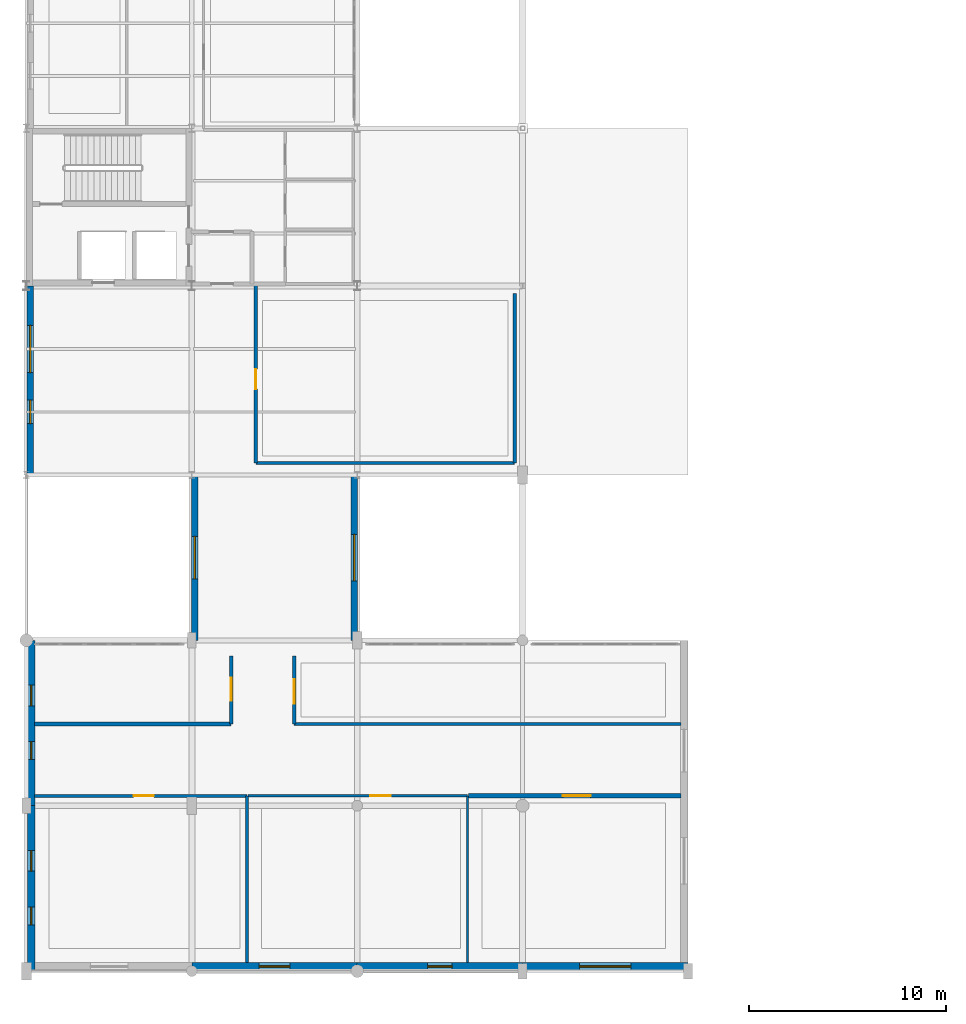
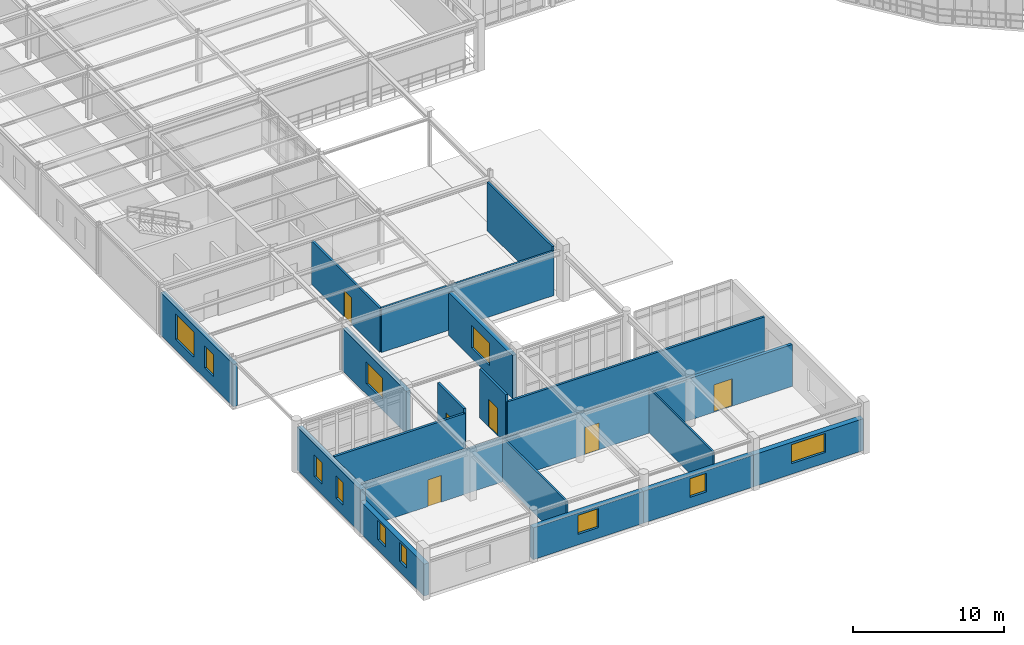
# One storey, part 71 of 90: 20 walls, 11 windows, 6 doors, 17 openings.
"""IFC4 building model written with IfcOpenShell, lengths in metres."""

from ifc_helpers import new_model, si_unit, derived_unit, direction, frame, frame_2d, origin, place, context, subcontext, project, spatial, rectangle, extrude, material, layer, layer_set, type_object, element, fill, save


model = new_model("IFC4")

# Units and contexts
model_context = context("Model", 3, precision=1e-05, world=origin(), true_north=direction((0.0, 1.0)))
body_context = subcontext(model_context, "Body", "Model", "MODEL_VIEW")
ifc_project = project(units=[si_unit("LENGTHUNIT", "METRE"), si_unit("AREAUNIT", "SQUARE_METRE"), si_unit("VOLUMEUNIT", "CUBIC_METRE"), si_unit("PLANEANGLEUNIT", "RADIAN"), si_unit("MASSUNIT", "GRAM", prefix="KILO"), derived_unit("THERMALTRANSMITTANCEUNIT", [(si_unit("POWERUNIT", "WATT"), 1), (si_unit("AREAUNIT", "SQUARE_METRE"), -1), (si_unit("THERMODYNAMICTEMPERATUREUNIT", "KELVIN"), -1)])], contexts=[model_context])

# Site, building, storey
site_placement = place(None, origin())
site = spatial("IfcSite", under=ifc_project, at=site_placement, CompositionType="ELEMENT")
building_placement = place(site_placement, origin())
building = spatial("IfcBuilding", under=site, at=building_placement, Name="Yasenodar Specialist Clinic", CompositionType="ELEMENT")
storey_placement = place(building_placement, frame((0.0, 0.0, 9.0)))
storey = spatial("IfcBuildingStorey", under=building, at=storey_placement, Name="L02", CompositionType="ELEMENT", Elevation=9.0)

# Wall, openings, windows
ifc_material_1 = material(Name="Leznykivske Rose Granite Rainscreen", Category="masonry")
ifc_layer_1 = layer(ifc_material_1, 0.3798828125)
ifc_layer_set_1 = layer_set([ifc_layer_1], Name="Leznykivske Rose Granite Rainscreen")
wall_type_1 = type_object("IfcWallType", Name="EW-GRAN-380", PredefinedType="SOLIDWALL", material=ifc_layer_set_1)
wall_1_placement = place(storey_placement, frame((0.239990234375, 0.0, 0.0), z_axis=(0.0, 0.0, 1.0), x_axis=(0.0, 1.0, 0.0)))
wall_1 = element("IfcWall", 1, at=wall_1_placement, inside=storey, type_object=wall_type_1, Name="L02 Exterior Facade Wall 0063", PredefinedType="SOLIDWALL", context=body_context, shape_type="SweptSolid", body=[
    extrude(rectangle(XDim=8.39990234375, YDim=0.3798828125, at=frame_2d((4.199951171875, 0.0))), origin(), (0.0, 0.0, 1.0), 2.568115234375),
])
opening_1_placement = place(wall_1_placement, frame((2.35009765625, 0.0, 0.85009765625)))
opening_1 = element("IfcOpeningElement", 2, at=opening_1_placement, cuts=wall_1, Name="Opening W-09", PredefinedType="OPENING", context=body_context, shape_type="SweptSolid", body=[
    extrude(rectangle(XDim=0.89990234375, YDim=1.5380859375, at=frame_2d((0.449951171875, 0.76904296875))), frame((0.0, 0.199951171875, 0.0), z_axis=(0.0, -1.0, 0.0), x_axis=(1.0, 0.0, 0.0)), (0.0, 0.0, 1.0), 0.39990234375),
])
opening_2_placement = place(wall_1_placement, frame((5.074951171875, 0.0, 0.85009765625)))
opening_2 = element("IfcOpeningElement", 3, at=opening_2_placement, cuts=wall_1, Name="Opening W-10", PredefinedType="OPENING", context=body_context, shape_type="SweptSolid", body=[
    extrude(rectangle(XDim=1.050048828125, YDim=1.5380859375, at=frame_2d((0.52490234375, 0.76904296875))), frame((0.0, 0.199951171875, 0.0), z_axis=(0.0, -1.0, 0.0), x_axis=(1.0, 0.0, 0.0)), (0.0, 0.0, 1.0), 0.39990234375),
])
ifc_material_2 = material(Name="Triple Low-E Argon Glazing in Bronze Aluminium Frame", Category="aluminium")
window_type_1 = type_object("IfcWindowType", Name="WIN-EXT-09", PartitioningType="SINGLE_PANEL", PredefinedType="WINDOW", material=ifc_material_2)
window_1_placement = place(opening_1_placement, origin())
window_1 = element("IfcWindow", 4, at=window_1_placement, inside=storey, type_object=window_type_1, Name="L02 Triple-Glazed Reveal Window 0045", OverallHeight=1.5380859375, OverallWidth=0.89990234375, PartitioningType="SINGLE_PANEL", PredefinedType="WINDOW", context=body_context, shape_type="SweptSolid", body=[
    extrude(rectangle(XDim=0.89990234375, YDim=1.5380859375, at=frame_2d((0.449951171875, 0.76904296875))), frame((0.0, 0.030029296875, 0.0), z_axis=(0.0, -1.0, 0.0), x_axis=(1.0, 0.0, 0.0)), (0.0, 0.0, 1.0), 0.06005859375),
])
fill(opening_1, window_1)
window_type_2 = type_object("IfcWindowType", Name="WIN-EXT-10", PartitioningType="SINGLE_PANEL", PredefinedType="WINDOW", material=ifc_material_2)
window_2_placement = place(opening_2_placement, origin())
window_2 = element("IfcWindow", 5, at=window_2_placement, inside=storey, type_object=window_type_2, Name="L02 Triple-Glazed Reveal Window 0046", OverallHeight=1.5380859375, OverallWidth=1.050048828125, PartitioningType="SINGLE_PANEL", PredefinedType="WINDOW", context=body_context, shape_type="SweptSolid", body=[
    extrude(rectangle(XDim=1.050048828125, YDim=1.5380859375, at=frame_2d((0.52490234375, 0.76904296875))), frame((0.0, 0.030029296875, 0.0), z_axis=(0.0, -1.0, 0.0), x_axis=(1.0, 0.0, 0.0)), (0.0, 0.0, 1.0), 0.06005859375),
])
fill(opening_2, window_2)

wall_2_placement = place(storey_placement, frame((0.239990234375, 8.39990234375, 0.0), z_axis=(0.0, 0.0, 1.0), x_axis=(0.0, 1.0, 0.0)))
wall_2 = element("IfcWall", 6, at=wall_2_placement, inside=storey, type_object=wall_type_1, Name="L02 Exterior Facade Wall 0064", PredefinedType="SOLIDWALL", context=body_context, shape_type="SweptSolid", body=[
    extrude(rectangle(XDim=8.400146484375, YDim=0.3798828125, at=frame_2d((4.2001953125, 0.0))), origin(), (0.0, 0.0, 1.0), 3.47802734375),
])
opening_3_placement = place(wall_2_placement, frame((2.35009765625, 0.0, 0.85009765625)))
opening_3 = element("IfcOpeningElement", 7, at=opening_3_placement, cuts=wall_2, Name="Opening W-09", PredefinedType="OPENING", context=body_context, shape_type="SweptSolid", body=[
    extrude(rectangle(XDim=0.89990234375, YDim=1.800048828125, at=frame_2d((0.449951171875, 0.89990234375))), frame((0.0, 0.199951171875, 0.0), z_axis=(0.0, -1.0, 0.0), x_axis=(1.0, 0.0, 0.0)), (0.0, 0.0, 1.0), 0.39990234375),
])
opening_4_placement = place(wall_2_placement, frame((5.074951171875, 0.0, 0.85009765625)))
opening_4 = element("IfcOpeningElement", 8, at=opening_4_placement, cuts=wall_2, Name="Opening W-10", PredefinedType="OPENING", context=body_context, shape_type="SweptSolid", body=[
    extrude(rectangle(XDim=1.050048828125, YDim=1.75, at=frame_2d((0.52490234375, 0.875))), frame((0.0, 0.199951171875, 0.0), z_axis=(0.0, -1.0, 0.0), x_axis=(1.0, 0.0, 0.0)), (0.0, 0.0, 1.0), 0.39990234375),
])
window_3_placement = place(opening_3_placement, origin())
window_3 = element("IfcWindow", 9, at=window_3_placement, inside=storey, type_object=window_type_1, Name="L02 Triple-Glazed Reveal Window 0047", OverallHeight=1.800048828125, OverallWidth=0.89990234375, PartitioningType="SINGLE_PANEL", PredefinedType="WINDOW", context=body_context, shape_type="SweptSolid", body=[
    extrude(rectangle(XDim=0.89990234375, YDim=1.800048828125, at=frame_2d((0.449951171875, 0.89990234375))), frame((0.0, 0.030029296875, 0.0), z_axis=(0.0, -1.0, 0.0), x_axis=(1.0, 0.0, 0.0)), (0.0, 0.0, 1.0), 0.06005859375),
])
fill(opening_3, window_3)
window_4_placement = place(opening_4_placement, origin())
window_4 = element("IfcWindow", 10, at=window_4_placement, inside=storey, type_object=window_type_2, Name="L02 Triple-Glazed Reveal Window 0048", OverallHeight=1.75, OverallWidth=1.050048828125, PartitioningType="SINGLE_PANEL", PredefinedType="WINDOW", context=body_context, shape_type="SweptSolid", body=[
    extrude(rectangle(XDim=1.050048828125, YDim=1.75, at=frame_2d((0.52490234375, 0.875))), frame((0.0, 0.030029296875, 0.0), z_axis=(0.0, -1.0, 0.0), x_axis=(1.0, 0.0, 0.0)), (0.0, 0.0, 1.0), 0.06005859375),
])
fill(opening_4, window_4)

# Wall, opening, window
ifc_material_3 = material(Name="Kapustianske Red Granite Ashlar Rainscreen", Category="masonry")
ifc_layer_2 = layer(ifc_material_3, 0.419921875)
ifc_layer_set_2 = layer_set([ifc_layer_2], Name="Kapustianske Red Granite Ashlar Rainscreen")
wall_type_2 = type_object("IfcWallType", Name="EW-GRAN-420", PredefinedType="SOLIDWALL", material=ifc_layer_set_2)
wall_3_placement = place(storey_placement, frame((33.60009765625, 0.239990234375, 0.0), z_axis=(0.0, 0.0, 1.0), x_axis=(-1.0, 0.0, 0.0)))
wall_3 = element("IfcWall", 11, at=wall_3_placement, inside=storey, type_object=wall_type_2, Name="L02 Exterior Facade Wall 0059", PredefinedType="SOLIDWALL", context=body_context, shape_type="SweptSolid", body=[
    extrude(rectangle(XDim=8.400146484375, YDim=0.419921875, at=frame_2d((4.2001953125, 0.0))), origin(), (0.0, 0.0, 1.0), 2.568115234375),
])
opening_5_placement = place(wall_3_placement, frame((2.89990234375, 0.0, 0.85009765625)))
opening_5 = element("IfcOpeningElement", 12, at=opening_5_placement, cuts=wall_3, Name="Opening W-14", PredefinedType="OPENING", context=body_context, shape_type="SweptSolid", body=[
    extrude(rectangle(XDim=2.60009765625, YDim=1.5380859375, at=frame_2d((1.300048828125, 0.76904296875))), frame((0.0, 0.219970703125, 0.0), z_axis=(0.0, -1.0, 0.0), x_axis=(1.0, 0.0, 0.0)), (0.0, 0.0, 1.0), 0.43994140625),
])
window_type_3 = type_object("IfcWindowType", Name="WIN-EXT-14", PartitioningType="SINGLE_PANEL", PredefinedType="WINDOW", material=ifc_material_2)
window_5_placement = place(opening_5_placement, origin())
window_5 = element("IfcWindow", 13, at=window_5_placement, inside=storey, type_object=window_type_3, Name="L02 Triple-Glazed Reveal Window 0041", OverallHeight=1.5380859375, OverallWidth=2.60009765625, PartitioningType="SINGLE_PANEL", PredefinedType="WINDOW", context=body_context, shape_type="SweptSolid", body=[
    extrude(rectangle(XDim=2.60009765625, YDim=1.5380859375, at=frame_2d((1.300048828125, 0.76904296875))), frame((0.0, 0.030029296875, 0.0), z_axis=(0.0, -1.0, 0.0), x_axis=(1.0, 0.0, 0.0)), (0.0, 0.0, 1.0), 0.06005859375),
])
fill(opening_5, window_5)

wall_4_placement = place(storey_placement, frame((25.199951171875, 0.239990234375, 0.0), z_axis=(0.0, 0.0, 1.0), x_axis=(-1.0, 0.0, 0.0)))
wall_4 = element("IfcWall", 14, at=wall_4_placement, inside=storey, type_object=wall_type_2, Name="L02 Exterior Facade Wall 0060", PredefinedType="SOLIDWALL", context=body_context, shape_type="SweptSolid", body=[
    extrude(rectangle(XDim=8.39990234375, YDim=0.419921875, at=frame_2d((4.199951171875, 0.0))), origin(), (0.0, 0.0, 1.0), 2.568115234375),
])
opening_6_placement = place(wall_4_placement, frame((3.574951171875, 0.0, 0.85009765625)))
opening_6 = element("IfcOpeningElement", 15, at=opening_6_placement, cuts=wall_4, Name="Opening W-15", PredefinedType="OPENING", context=body_context, shape_type="SweptSolid", body=[
    extrude(rectangle(XDim=1.25, YDim=1.5, at=frame_2d((0.625, 0.75))), frame((0.0, 0.219970703125, 0.0), z_axis=(0.0, -1.0, 0.0), x_axis=(1.0, 0.0, 0.0)), (0.0, 0.0, 1.0), 0.43994140625),
])
window_type_4 = type_object("IfcWindowType", Name="WIN-EXT-15", PartitioningType="SINGLE_PANEL", PredefinedType="WINDOW", material=ifc_material_2)
window_6_placement = place(opening_6_placement, origin())
window_6 = element("IfcWindow", 16, at=window_6_placement, inside=storey, type_object=window_type_4, Name="L02 Triple-Glazed Reveal Window 0042", OverallHeight=1.5, OverallWidth=1.25, PartitioningType="SINGLE_PANEL", PredefinedType="WINDOW", context=body_context, shape_type="SweptSolid", body=[
    extrude(rectangle(XDim=1.25, YDim=1.5, at=frame_2d((0.625, 0.75))), frame((0.0, 0.030029296875, 0.0), z_axis=(0.0, -1.0, 0.0), x_axis=(1.0, 0.0, 0.0)), (0.0, 0.0, 1.0), 0.06005859375),
])
fill(opening_6, window_6)

wall_5_placement = place(storey_placement, frame((16.800048828125, 0.239990234375, 0.0), z_axis=(0.0, 0.0, 1.0), x_axis=(-1.0, 0.0, 0.0)))
wall_5 = element("IfcWall", 17, at=wall_5_placement, inside=storey, type_object=wall_type_2, Name="L02 Exterior Facade Wall 0061", PredefinedType="SOLIDWALL", context=body_context, shape_type="SweptSolid", body=[
    extrude(rectangle(XDim=8.400146484375, YDim=0.419921875, at=frame_2d((4.2001953125, 0.0))), origin(), (0.0, 0.0, 1.0), 2.568115234375),
])
opening_7_placement = place(wall_5_placement, frame((3.425048828125, 0.0, 0.85009765625)))
opening_7 = element("IfcOpeningElement", 18, at=opening_7_placement, cuts=wall_5, Name="Opening W-16", PredefinedType="OPENING", context=body_context, shape_type="SweptSolid", body=[
    extrude(rectangle(XDim=1.550048828125, YDim=1.5380859375, at=frame_2d((0.77490234375, 0.76904296875))), frame((0.0, 0.219970703125, 0.0), z_axis=(0.0, -1.0, 0.0), x_axis=(1.0, 0.0, 0.0)), (0.0, 0.0, 1.0), 0.43994140625),
])
window_type_5 = type_object("IfcWindowType", Name="WIN-EXT-16", PartitioningType="SINGLE_PANEL", PredefinedType="WINDOW", material=ifc_material_2)
window_7_placement = place(opening_7_placement, origin())
window_7 = element("IfcWindow", 19, at=window_7_placement, inside=storey, type_object=window_type_5, Name="L02 Triple-Glazed Reveal Window 0043", OverallHeight=1.5380859375, OverallWidth=1.550048828125, PartitioningType="SINGLE_PANEL", PredefinedType="WINDOW", context=body_context, shape_type="SweptSolid", body=[
    extrude(rectangle(XDim=1.550048828125, YDim=1.5380859375, at=frame_2d((0.77490234375, 0.76904296875))), frame((0.0, 0.030029296875, 0.0), z_axis=(0.0, -1.0, 0.0), x_axis=(1.0, 0.0, 0.0)), (0.0, 0.0, 1.0), 0.06005859375),
])
fill(opening_7, window_7)

ifc_material_4 = material(Name="Buff Architectural Terracotta Rainscreen", Category="masonry")
ifc_layer_3 = layer(ifc_material_4, 0.340087890625)
ifc_layer_set_3 = layer_set([ifc_layer_3], Name="Buff Architectural Terracotta Rainscreen")
wall_type_3 = type_object("IfcWallType", Name="EW-TERR-340", PredefinedType="SOLIDWALL", material=ifc_layer_set_3)
wall_6_placement = place(storey_placement, frame((8.550048828125, 16.800048828125, 0.0), z_axis=(0.0, 0.0, 1.0), x_axis=(0.0, 1.0, 0.0)))
wall_6 = element("IfcWall", 20, at=wall_6_placement, inside=storey, type_object=wall_type_3, Name="L02 Exterior Facade Wall 0065", PredefinedType="SOLIDWALL", context=body_context, shape_type="SweptSolid", body=[
    extrude(rectangle(XDim=8.39990234375, YDim=0.340087890625, at=frame_2d((4.199951171875, 0.0))), origin(), (0.0, 0.0, 1.0), 3.41796875),
])
opening_8_placement = place(wall_6_placement, frame((3.125, 0.0, 0.85009765625)))
opening_8 = element("IfcOpeningElement", 21, at=opening_8_placement, cuts=wall_6, Name="Opening W-25", PredefinedType="OPENING", context=body_context, shape_type="SweptSolid", body=[
    extrude(rectangle(XDim=2.14990234375, YDim=1.75, at=frame_2d((1.074951171875, 0.875))), frame((0.0, 0.18017578125, 0.0), z_axis=(0.0, -1.0, 0.0), x_axis=(1.0, 0.0, 0.0)), (0.0, 0.0, 1.0), 0.360107421875),
])
window_type_6 = type_object("IfcWindowType", Name="WIN-EXT-25", PartitioningType="SINGLE_PANEL", PredefinedType="WINDOW", material=ifc_material_2)
window_8_placement = place(opening_8_placement, origin())
window_8 = element("IfcWindow", 22, at=window_8_placement, inside=storey, type_object=window_type_6, Name="L02 Triple-Glazed Reveal Window 0049", OverallHeight=1.75, OverallWidth=2.14990234375, PartitioningType="SINGLE_PANEL", PredefinedType="WINDOW", context=body_context, shape_type="SweptSolid", body=[
    extrude(rectangle(XDim=2.14990234375, YDim=1.75, at=frame_2d((1.074951171875, 0.875))), frame((0.0, 0.030029296875, 0.0), z_axis=(0.0, -1.0, 0.0), x_axis=(1.0, 0.0, 0.0)), (0.0, 0.0, 1.0), 0.06005859375),
])
fill(opening_8, window_8)

wall_7_placement = place(storey_placement, frame((16.64990234375, 25.199951171875, 0.0), z_axis=(0.0, 0.0, 1.0), x_axis=(0.0, -1.0, 0.0)))
wall_7 = element("IfcWall", 23, at=wall_7_placement, inside=storey, type_object=wall_type_3, Name="L02 Exterior Facade Wall 0066", PredefinedType="SOLIDWALL", context=body_context, shape_type="SweptSolid", body=[
    extrude(rectangle(XDim=8.39990234375, YDim=0.340087890625, at=frame_2d((4.199951171875, 0.0))), origin(), (0.0, 0.0, 1.0), 3.468017578125),
])
opening_9_placement = place(wall_7_placement, frame((3.02490234375, 0.0, 0.85009765625)))
opening_9 = element("IfcOpeningElement", 24, at=opening_9_placement, cuts=wall_7, Name="Opening W-26", PredefinedType="OPENING", context=body_context, shape_type="SweptSolid", body=[
    extrude(rectangle(XDim=2.35009765625, YDim=1.800048828125, at=frame_2d((1.175048828125, 0.89990234375))), frame((0.0, 0.18017578125, 0.0), z_axis=(0.0, -1.0, 0.0), x_axis=(1.0, 0.0, 0.0)), (0.0, 0.0, 1.0), 0.360107421875),
])
window_type_7 = type_object("IfcWindowType", Name="WIN-EXT-26", PartitioningType="SINGLE_PANEL", PredefinedType="WINDOW", material=ifc_material_2)
window_9_placement = place(opening_9_placement, origin())
window_9 = element("IfcWindow", 25, at=window_9_placement, inside=storey, type_object=window_type_7, Name="L02 Triple-Glazed Reveal Window 0050", OverallHeight=1.800048828125, OverallWidth=2.35009765625, PartitioningType="SINGLE_PANEL", PredefinedType="WINDOW", context=body_context, shape_type="SweptSolid", body=[
    extrude(rectangle(XDim=2.35009765625, YDim=1.800048828125, at=frame_2d((1.175048828125, 0.89990234375))), frame((0.0, 0.030029296875, 0.0), z_axis=(0.0, -1.0, 0.0), x_axis=(1.0, 0.0, 0.0)), (0.0, 0.0, 1.0), 0.06005859375),
])
fill(opening_9, window_9)

# Wall, openings, windows
wall_8_placement = place(storey_placement, frame((0.199951171875, 25.199951171875, 0.0), z_axis=(0.0, 0.0, 1.0), x_axis=(0.0, 1.0, 0.0)))
wall_8 = element("IfcWall", 26, at=wall_8_placement, inside=storey, type_object=wall_type_3, Name="L02 Exterior Facade Wall 0099", PredefinedType="SOLIDWALL", context=body_context, shape_type="SweptSolid", body=[
    extrude(rectangle(XDim=9.60009765625, YDim=0.340087890625, at=frame_2d((4.800048828125, 0.0))), origin(), (0.0, 0.0, 1.0), 3.41796875),
])
opening_10_placement = place(wall_8_placement, frame((2.60009765625, 0.0, 0.85009765625)))
opening_10 = element("IfcOpeningElement", 27, at=opening_10_placement, cuts=wall_8, Name="Opening W-01", PredefinedType="OPENING", context=body_context, shape_type="SweptSolid", body=[
    extrude(rectangle(XDim=1.199951171875, YDim=1.800048828125, at=frame_2d((0.60009765625, 0.89990234375))), frame((0.0, 0.18017578125, 0.0), z_axis=(0.0, -1.0, 0.0), x_axis=(1.0, 0.0, 0.0)), (0.0, 0.0, 1.0), 0.360107421875),
])
opening_11_placement = place(wall_8_placement, frame((5.199951171875, 0.0, 0.85009765625)))
opening_11 = element("IfcOpeningElement", 28, at=opening_11_placement, cuts=wall_8, Name="Opening W-08", PredefinedType="OPENING", context=body_context, shape_type="SweptSolid", body=[
    extrude(rectangle(XDim=2.39990234375, YDim=2.050048828125, at=frame_2d((1.199951171875, 1.02490234375))), frame((0.0, 0.18017578125, 0.0), z_axis=(0.0, -1.0, 0.0), x_axis=(1.0, 0.0, 0.0)), (0.0, 0.0, 1.0), 0.360107421875),
])
window_type_8 = type_object("IfcWindowType", Name="WIN-EXT-01", PartitioningType="SINGLE_PANEL", PredefinedType="WINDOW", material=ifc_material_2)
window_10_placement = place(opening_10_placement, origin())
window_10 = element("IfcWindow", 29, at=window_10_placement, inside=storey, type_object=window_type_8, Name="L02 Triple-Glazed Reveal Window 0090", OverallHeight=1.800048828125, OverallWidth=1.199951171875, PartitioningType="SINGLE_PANEL", PredefinedType="WINDOW", context=body_context, shape_type="SweptSolid", body=[
    extrude(rectangle(XDim=1.199951171875, YDim=1.800048828125, at=frame_2d((0.60009765625, 0.89990234375))), frame((0.0, 0.030029296875, 0.0), z_axis=(0.0, -1.0, 0.0), x_axis=(1.0, 0.0, 0.0)), (0.0, 0.0, 1.0), 0.06005859375),
])
fill(opening_10, window_10)
window_type_9 = type_object("IfcWindowType", Name="WIN-EXT-08", PartitioningType="SINGLE_PANEL", PredefinedType="WINDOW", material=ifc_material_2)
window_11_placement = place(opening_11_placement, origin())
window_11 = element("IfcWindow", 30, at=window_11_placement, inside=storey, type_object=window_type_9, Name="L02 Triple-Glazed Reveal Window 0091", OverallHeight=2.050048828125, OverallWidth=2.39990234375, PartitioningType="SINGLE_PANEL", PredefinedType="WINDOW", context=body_context, shape_type="SweptSolid", body=[
    extrude(rectangle(XDim=2.39990234375, YDim=2.050048828125, at=frame_2d((1.199951171875, 1.02490234375))), frame((0.0, 0.030029296875, 0.0), z_axis=(0.0, -1.0, 0.0), x_axis=(1.0, 0.0, 0.0)), (0.0, 0.0, 1.0), 0.06005859375),
])
fill(opening_11, window_11)

# Wall, opening, door
ifc_material_5 = material(Name="Outpatient Examination Partition")
ifc_layer_4 = layer(ifc_material_5, 0.14990234375)
ifc_layer_set_4 = layer_set([ifc_layer_4], Name="Outpatient Examination Partition")
wall_type_4 = type_object("IfcWallType", Name="IW-CONS-150", PredefinedType="PARTITIONING", material=ifc_layer_set_4)
wall_9_placement = place(storey_placement, frame((0.409912109375, 8.89990234375, 0.0), z_axis=(0.0, 0.0, 1.0), x_axis=(1.0, 0.0, 0.0)))
wall_9 = element("IfcWall", 31, at=wall_9_placement, inside=storey, type_object=wall_type_4, Name="L02 DEXA Bone Densitometry Suite Partition", PredefinedType="PARTITIONING", context=body_context, shape_type="SweptSolid", body=[
    extrude(rectangle(XDim=10.7900390625, YDim=0.14990234375, at=frame_2d((5.39501953125, 0.0))), origin(), (0.0, 0.0, 1.0), 3.577880859375),
])
opening_12_placement = place(wall_9_placement, frame((5.0400390625, 0.0, 0.0)))
opening_12 = element("IfcOpeningElement", 32, at=opening_12_placement, cuts=wall_9, Name="Opening D-03", PredefinedType="OPENING", context=body_context, shape_type="SweptSolid", body=[
    extrude(rectangle(XDim=1.02001953125, YDim=2.14990234375, at=frame_2d((0.510009765625, 1.074951171875))), frame((0.0, 0.0849609375, 0.0), z_axis=(0.0, -1.0, 0.0), x_axis=(1.0, 0.0, 0.0)), (0.0, 0.0, 1.0), 0.169921875),
])
ifc_material_6 = material(Name="Powder-Coated Steel and Acoustic Laminate Leaf", Category="steel")
door_type_1 = type_object("IfcDoorType", Name="DR-CLN-102", OperationType="NOTDEFINED", PredefinedType="DOOR", material=ifc_material_6)
door_1_placement = place(opening_12_placement, origin())
door_1 = element("IfcDoor", 33, at=door_1_placement, inside=storey, type_object=door_type_1, Name="L02 DEXA Bone Densitometry Suite Door", OperationType="SINGLE_SWING_RIGHT", OverallHeight=2.14990234375, OverallWidth=1.02001953125, PredefinedType="DOOR", context=body_context, shape_type="SweptSolid", body=[
    extrude(rectangle(XDim=1.02001953125, YDim=2.14990234375, at=frame_2d((0.510009765625, 1.074951171875))), frame((0.0, 0.02490234375, 0.0), z_axis=(0.0, -1.0, 0.0), x_axis=(1.0, 0.0, 0.0)), (0.0, 0.0, 1.0), 0.050048828125),
])
fill(opening_12, door_1)

# Wall
wall_10_placement = place(storey_placement, frame((11.199951171875, 8.89990234375, 0.0), z_axis=(0.0, 0.0, 1.0), x_axis=(0.0, -1.0, 0.0)))
element("IfcWall", 34, at=wall_10_placement, inside=storey, type_object=wall_type_4, Name="L02 DEXA Bone Densitometry Suite Partition", PredefinedType="PARTITIONING", context=body_context, shape_type="SweptSolid", body=[
    extrude(rectangle(XDim=8.469970703125, YDim=0.14990234375, at=frame_2d((4.23486328125, 0.0))), origin(), (0.0, 0.0, 1.0), 3.528076171875),
])

# Wall, opening, door
ifc_material_7 = material(Name="Acoustic Double-Gypsum Consulting Partition")
ifc_layer_5 = layer(ifc_material_7, 0.159912109375)
ifc_layer_set_5 = layer_set([ifc_layer_5], Name="Acoustic Double-Gypsum Consulting Partition")
wall_type_5 = type_object("IfcWallType", Name="IW-CONS-160", PredefinedType="PARTITIONING", material=ifc_layer_set_5)
wall_11_placement = place(storey_placement, frame((11.64990234375, 25.800048828125, 0.0), z_axis=(0.0, 0.0, 1.0), x_axis=(0.0, 1.0, 0.0)))
wall_11 = element("IfcWall", 35, at=wall_11_placement, inside=storey, type_object=wall_type_5, Name="L02 Audiology and ENT Clinic Partition", PredefinedType="PARTITIONING", context=body_context, shape_type="SweptSolid", body=[
    extrude(rectangle(XDim=9.0224609375, YDim=0.159912109375, at=frame_2d((4.51123046875, 0.0))), origin(), (0.0, 0.0, 1.0), 3.5380859375),
])
opening_13_placement = place(wall_11_placement, frame((3.75, 0.0, 0.0)))
opening_13 = element("IfcOpeningElement", 36, at=opening_13_placement, cuts=wall_11, Name="Opening D-03", PredefinedType="OPENING", context=body_context, shape_type="SweptSolid", body=[
    extrude(rectangle(XDim=1.02001953125, YDim=2.14990234375, at=frame_2d((0.510009765625, 1.074951171875))), frame((0.0, 0.08984375, 0.0), z_axis=(0.0, -1.0, 0.0), x_axis=(1.0, 0.0, 0.0)), (0.0, 0.0, 1.0), 0.179931640625),
])
door_2_placement = place(opening_13_placement, origin())
door_2 = element("IfcDoor", 37, at=door_2_placement, inside=storey, type_object=door_type_1, Name="L02 Audiology and ENT Clinic Door", OperationType="SINGLE_SWING_RIGHT", OverallHeight=2.14990234375, OverallWidth=1.02001953125, PredefinedType="DOOR", context=body_context, shape_type="SweptSolid", body=[
    extrude(rectangle(XDim=1.02001953125, YDim=2.14990234375, at=frame_2d((0.510009765625, 1.074951171875))), frame((0.0, 0.02490234375, 0.0), z_axis=(0.0, -1.0, 0.0), x_axis=(1.0, 0.0, 0.0)), (0.0, 0.0, 1.0), 0.050048828125),
])
fill(opening_13, door_2)

# Walls
wall_12_placement = place(storey_placement, frame((24.800048828125, 25.800048828125, 0.0), z_axis=(0.0, 0.0, 1.0), x_axis=(-1.0, 0.0, 0.0)))
element("IfcWall", 38, at=wall_12_placement, inside=storey, type_object=wall_type_5, Name="L02 Audiology and ENT Clinic Partition", PredefinedType="PARTITIONING", context=body_context, shape_type="SweptSolid", body=[
    extrude(rectangle(XDim=13.150146484375, YDim=0.159912109375, at=frame_2d((6.5751953125, 0.0))), origin(), (0.0, 0.0, 1.0), 3.577880859375),
])
wall_13_placement = place(storey_placement, frame((24.800048828125, 34.39990234375, 0.0), z_axis=(0.0, 0.0, 1.0), x_axis=(0.0, -1.0, 0.0)))
element("IfcWall", 39, at=wall_13_placement, inside=storey, type_object=wall_type_5, Name="L02 Audiology and ENT Clinic Partition", PredefinedType="PARTITIONING", context=body_context, shape_type="SweptSolid", body=[
    extrude(rectangle(XDim=8.599853515625, YDim=0.159912109375, at=frame_2d((4.2998046875, 0.0))), origin(), (0.0, 0.0, 1.0), 3.929931640625),
])

# Wall, opening, door
ifc_material_8 = material(Name="Cleanroom Laboratory Partition")
ifc_layer_6 = layer(ifc_material_8, 0.169921875)
ifc_layer_set_6 = layer_set([ifc_layer_6], Name="Cleanroom Laboratory Partition")
wall_type_6 = type_object("IfcWallType", Name="IW-LAB-170", PredefinedType="PARTITIONING", material=ifc_layer_set_6)
wall_14_placement = place(storey_placement, frame((13.60009765625, 16.0, 0.0), z_axis=(0.0, 0.0, 1.0), x_axis=(0.0, -1.0, 0.0)))
wall_14 = element("IfcWall", 40, at=wall_14_placement, inside=storey, type_object=wall_type_6, Name="L02 Cardiology Holter and ECG Diagnostic Room Partition", PredefinedType="PARTITIONING", context=body_context, shape_type="SweptSolid", body=[
    extrude(rectangle(XDim=3.449951171875, YDim=0.169921875, at=frame_2d((1.72509765625, 0.0))), origin(), (0.0, 0.0, 1.0), 3.929931640625),
])
opening_14_placement = place(wall_14_placement, frame((1.175048828125, 0.0, 0.0)))
opening_14 = element("IfcOpeningElement", 41, at=opening_14_placement, cuts=wall_14, Name="Opening D-07", PredefinedType="OPENING", context=body_context, shape_type="SweptSolid", body=[
    extrude(rectangle(XDim=1.239990234375, YDim=2.199951171875, at=frame_2d((0.6201171875, 1.10009765625))), frame((0.0, 0.094970703125, 0.0), z_axis=(0.0, -1.0, 0.0), x_axis=(1.0, 0.0, 0.0)), (0.0, 0.0, 1.0), 0.18994140625),
])
door_type_2 = type_object("IfcDoorType", Name="DR-CLN-124", OperationType="NOTDEFINED", PredefinedType="DOOR", material=ifc_material_6)
door_3_placement = place(opening_14_placement, origin())
door_3 = element("IfcDoor", 42, at=door_3_placement, inside=storey, type_object=door_type_2, Name="L02 Cardiology Holter and ECG Diagnostic Room Door", OperationType="SINGLE_SWING_RIGHT", OverallHeight=2.199951171875, OverallWidth=1.239990234375, PredefinedType="DOOR", context=body_context, shape_type="SweptSolid", body=[
    extrude(rectangle(XDim=1.239990234375, YDim=2.199951171875, at=frame_2d((0.6201171875, 1.10009765625))), frame((0.0, 0.02490234375, 0.0), z_axis=(0.0, -1.0, 0.0), x_axis=(1.0, 0.0, 0.0)), (0.0, 0.0, 1.0), 0.050048828125),
])
fill(opening_14, door_3)

# Wall
wall_15_placement = place(storey_placement, frame((13.60009765625, 12.550048828125, 0.0), z_axis=(0.0, 0.0, 1.0), x_axis=(1.0, 0.0, 0.0)))
element("IfcWall", 43, at=wall_15_placement, inside=storey, type_object=wall_type_6, Name="L02 Cardiology Holter and ECG Diagnostic Room Partition", PredefinedType="PARTITIONING", context=body_context, shape_type="SweptSolid", body=[
    extrude(rectangle(XDim=19.64990234375, YDim=0.169921875, at=frame_2d((9.824951171875, 0.0))), origin(), (0.0, 0.0, 1.0), 3.367919921875),
])

# Wall, opening, door
ifc_material_9 = material(Name="Shielded CT Control Partition")
ifc_layer_7 = layer(ifc_material_9, 0.22998046875)
ifc_layer_set_7 = layer_set([ifc_layer_7], Name="Shielded CT Control Partition")
wall_type_7 = type_object("IfcWallType", Name="IW-LEAD-230", PredefinedType="PARTITIONING", material=ifc_layer_set_7)
wall_16_placement = place(storey_placement, frame((22.4423828125, 8.89990234375, 0.0), z_axis=(0.0, 0.0, 1.0), x_axis=(1.0, 0.0, 0.0)))
wall_16 = element("IfcWall", 44, at=wall_16_placement, inside=storey, type_object=wall_type_7, Name="L02 Gamma Camera Imaging Room Partition", PredefinedType="PARTITIONING", context=body_context, shape_type="SweptSolid", body=[
    extrude(rectangle(XDim=10.8076171875, YDim=0.22998046875, at=frame_2d((5.40380859375, 0.0))), origin(), (0.0, 0.0, 1.0), 3.367919921875),
])
opening_15_placement = place(wall_16_placement, frame((4.8076171875, 0.0, 0.0)))
opening_15 = element("IfcOpeningElement", 45, at=opening_15_placement, cuts=wall_16, Name="Opening XD-01", PredefinedType="OPENING", context=body_context, shape_type="SweptSolid", body=[
    extrude(rectangle(XDim=1.39990234375, YDim=2.199951171875, at=frame_2d((0.699951171875, 1.10009765625))), frame((0.0, 0.125, 0.0), z_axis=(0.0, -1.0, 0.0), x_axis=(1.0, 0.0, 0.0)), (0.0, 0.0, 1.0), 0.25),
])
ifc_material_10 = material(Name="Fire-Rated Insulated Steel Door", Category="steel")
door_type_3 = type_object("IfcDoorType", Name="DR-LEAD-140", OperationType="NOTDEFINED", PredefinedType="DOOR", material=ifc_material_10)
door_4_placement = place(opening_15_placement, origin())
door_4 = element("IfcDoor", 46, at=door_4_placement, inside=storey, type_object=door_type_3, Name="L02 Gamma Camera Imaging Room Door", OperationType="SINGLE_SWING_RIGHT", OverallHeight=2.199951171875, OverallWidth=1.39990234375, PredefinedType="DOOR", context=body_context, shape_type="SweptSolid", body=[
    extrude(rectangle(XDim=1.39990234375, YDim=2.199951171875, at=frame_2d((0.699951171875, 1.10009765625))), frame((0.0, 0.02490234375, 0.0), z_axis=(0.0, -1.0, 0.0), x_axis=(1.0, 0.0, 0.0)), (0.0, 0.0, 1.0), 0.050048828125),
])
fill(opening_15, door_4)

ifc_material_11 = material(Name="Clinical Sub-Division Partition")
ifc_layer_8 = layer(ifc_material_11, 0.125)
ifc_layer_set_8 = layer_set([ifc_layer_8], Name="Clinical Sub-Division Partition")
wall_type_8 = type_object("IfcWallType", Name="IW-PART-125", PredefinedType="PARTITIONING", material=ifc_layer_set_8)
wall_17_placement = place(storey_placement, frame((11.2548828125, 8.89990234375, 0.0), z_axis=(0.0, 0.0, 1.0), x_axis=(1.0, 0.0, 0.0)))
wall_17 = element("IfcWall", 47, at=wall_17_placement, inside=storey, type_object=wall_type_8, Name="L02 Nuclear Diagnostic Uptake Suite Partition", PredefinedType="PARTITIONING", context=body_context, shape_type="SweptSolid", body=[
    extrude(rectangle(XDim=11.14501953125, YDim=0.125, at=frame_2d((5.572509765625, 0.0))), origin(), (0.0, 0.0, 1.0), 3.468017578125),
])
opening_16_placement = place(wall_17_placement, frame((6.195068359375, 0.0, 0.0)))
opening_16 = element("IfcOpeningElement", 48, at=opening_16_placement, cuts=wall_17, Name="Opening D-04", PredefinedType="OPENING", context=body_context, shape_type="SweptSolid", body=[
    extrude(rectangle(XDim=1.06005859375, YDim=2.159912109375, at=frame_2d((0.530029296875, 1.080078125))), frame((0.0, 0.072509765625, 0.0), z_axis=(0.0, -1.0, 0.0), x_axis=(1.0, 0.0, 0.0)), (0.0, 0.0, 1.0), 0.14501953125),
])
door_type_4 = type_object("IfcDoorType", Name="DR-CLN-106", OperationType="NOTDEFINED", PredefinedType="DOOR", material=ifc_material_6)
door_5_placement = place(opening_16_placement, origin())
door_5 = element("IfcDoor", 49, at=door_5_placement, inside=storey, type_object=door_type_4, Name="L02 Nuclear Diagnostic Uptake Suite Door", OperationType="SINGLE_SWING_LEFT", OverallHeight=2.159912109375, OverallWidth=1.06005859375, PredefinedType="DOOR", context=body_context, shape_type="SweptSolid", body=[
    extrude(rectangle(XDim=1.06005859375, YDim=2.159912109375, at=frame_2d((0.530029296875, 1.080078125))), frame((0.0, 0.02490234375, 0.0), z_axis=(0.0, -1.0, 0.0), x_axis=(1.0, 0.0, 0.0)), (0.0, 0.0, 1.0), 0.050048828125),
])
fill(opening_16, door_5)

# Wall
wall_18_placement = place(storey_placement, frame((22.39990234375, 8.89990234375, 0.0), z_axis=(0.0, 0.0, 1.0), x_axis=(0.0, -1.0, 0.0)))
element("IfcWall", 50, at=wall_18_placement, inside=storey, type_object=wall_type_8, Name="L02 Nuclear Diagnostic Uptake Suite Partition", PredefinedType="PARTITIONING", context=body_context, shape_type="SweptSolid", body=[
    extrude(rectangle(XDim=8.469970703125, YDim=0.125, at=frame_2d((4.23486328125, 0.0))), origin(), (0.0, 0.0, 1.0), 3.587890625),
])

# Wall, opening, door
ifc_material_12 = material(Name="Hygienic Double-Stud Clinical Partition")
ifc_layer_9 = layer(ifc_material_12, 0.179931640625)
ifc_layer_set_9 = layer_set([ifc_layer_9], Name="Hygienic Double-Stud Clinical Partition")
wall_type_9 = type_object("IfcWallType", Name="IW-PROC-180", PredefinedType="PARTITIONING", material=ifc_layer_set_9)
wall_19_placement = place(storey_placement, frame((10.39990234375, 12.550048828125, 0.0), z_axis=(0.0, 0.0, 1.0), x_axis=(0.0, 1.0, 0.0)))
wall_19 = element("IfcWall", 51, at=wall_19_placement, inside=storey, type_object=wall_type_9, Name="L02 Radiology Reporting Reading Suite Partition", PredefinedType="PARTITIONING", context=body_context, shape_type="SweptSolid", body=[
    extrude(rectangle(XDim=3.449951171875, YDim=0.179931640625, at=frame_2d((1.72509765625, 0.0))), origin(), (0.0, 0.0, 1.0), 3.929931640625),
])
opening_17_placement = place(wall_19_placement, frame((1.175048828125, 0.0, 0.0)))
opening_17 = element("IfcOpeningElement", 52, at=opening_17_placement, cuts=wall_19, Name="Opening D-06", PredefinedType="OPENING", context=body_context, shape_type="SweptSolid", body=[
    extrude(rectangle(XDim=1.179931640625, YDim=2.199951171875, at=frame_2d((0.58984375, 1.10009765625))), frame((0.0, 0.10009765625, 0.0), z_axis=(0.0, -1.0, 0.0), x_axis=(1.0, 0.0, 0.0)), (0.0, 0.0, 1.0), 0.199951171875),
])
door_type_5 = type_object("IfcDoorType", Name="DR-CLN-118", OperationType="NOTDEFINED", PredefinedType="DOOR", material=ifc_material_6)
door_6_placement = place(opening_17_placement, origin())
door_6 = element("IfcDoor", 53, at=door_6_placement, inside=storey, type_object=door_type_5, Name="L02 Radiology Reporting Reading Suite Door", OperationType="SINGLE_SWING_LEFT", OverallHeight=2.199951171875, OverallWidth=1.179931640625, PredefinedType="DOOR", context=body_context, shape_type="SweptSolid", body=[
    extrude(rectangle(XDim=1.179931640625, YDim=2.199951171875, at=frame_2d((0.58984375, 1.10009765625))), frame((0.0, 0.02490234375, 0.0), z_axis=(0.0, -1.0, 0.0), x_axis=(1.0, 0.0, 0.0)), (0.0, 0.0, 1.0), 0.050048828125),
])
fill(opening_17, door_6)

# Wall
wall_20_placement = place(storey_placement, frame((0.409912109375, 12.550048828125, 0.0), z_axis=(0.0, 0.0, 1.0), x_axis=(1.0, 0.0, 0.0)))
element("IfcWall", 54, at=wall_20_placement, inside=storey, type_object=wall_type_9, Name="L02 Radiology Reporting Reading Suite Partition", PredefinedType="PARTITIONING", context=body_context, shape_type="SweptSolid", body=[
    extrude(rectangle(XDim=9.989990234375, YDim=0.179931640625, at=frame_2d((4.9951171875, 0.0))), origin(), (0.0, 0.0, 1.0), 3.577880859375),
])

save(model, "model.ifc")
